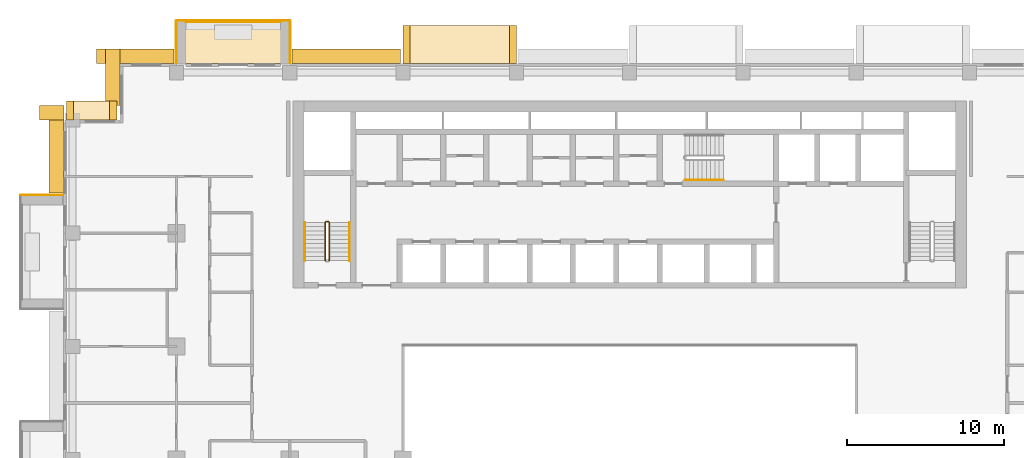
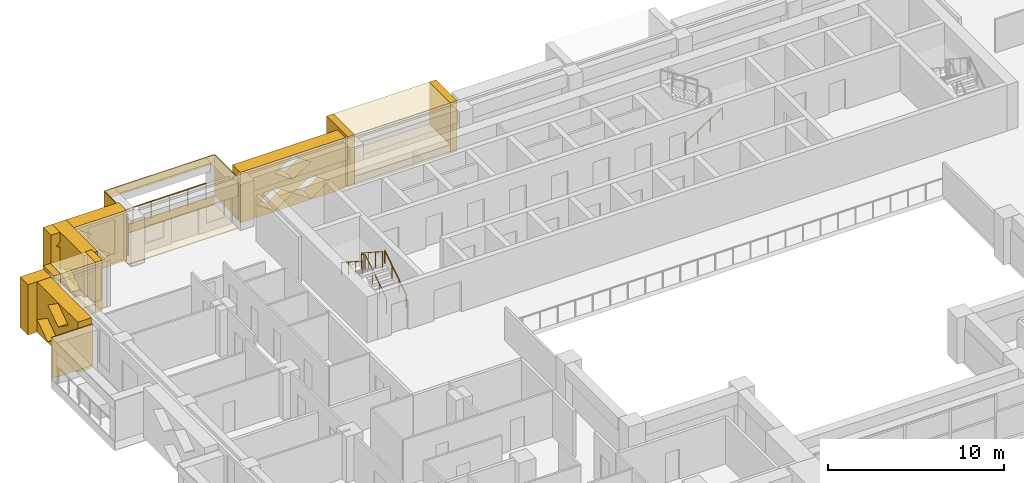
# One storey, part 18 of 20: 19 coverings, 5 railings.
"""IFC4 building model written with IfcOpenShell, lengths in metres."""

from ifc_helpers import new_model, si_unit, direction, frame, origin, origin_2d, place, context, subcontext, project, spatial, polyline, circle, outline, extrude, material, layer, layer_set, type_object, element, save


model = new_model("IFC4")

# Units and contexts
model_context = context("Model", 3, precision=1e-05, world=origin(), true_north=direction((0.0, 1.0)))
body_context = subcontext(model_context, "Body", "Model", "MODEL_VIEW")
ifc_project = project(units=[si_unit("LENGTHUNIT", "METRE"), si_unit("AREAUNIT", "SQUARE_METRE"), si_unit("VOLUMEUNIT", "CUBIC_METRE"), si_unit("PLANEANGLEUNIT", "RADIAN"), si_unit("MASSUNIT", "GRAM", prefix="KILO")], contexts=[model_context])

# Site, building, storey
site_placement = place(None, origin())
site = spatial("IfcSite", under=ifc_project, at=site_placement, CompositionType="ELEMENT")
building_placement = place(site_placement, origin())
building = spatial("IfcBuilding", under=site, at=building_placement, Name="Saffron Iwan Residences", CompositionType="ELEMENT")
storey_placement = place(building_placement, frame((0.0, 0.0, 127.0)))
storey = spatial("IfcBuildingStorey", under=building, at=storey_placement, Name="L33", CompositionType="ELEMENT", Elevation=127.0)

# Railing
ifc_material_1 = material(Name="Stainless steel 316", Category="steel")
railing_type_1 = type_object("IfcRailingType", Name="BALCONY GUARD 1150", PredefinedType="GUARDRAIL", material=ifc_material_1)
railing_1_placement = place(storey_placement, frame((28.199951171875, 83.02490234375, 0.0)))
element("IfcRailing", 1, at=railing_1_placement, inside=storey, type_object=railing_type_1, Name="Balcony guard L33 F5-3", PredefinedType="GUARDRAIL", context=body_context, shape_type="SweptSolid", body=[
    extrude(circle(Radius=0.02392578125, at=origin_2d()), frame((0.0, 0.0, 1.1259765625), z_axis=(-1.0, 0.0, 0.0), x_axis=(0.0, -1.0, 0.0)), (0.0, 0.0, 1.0), 6.0),
    extrude(circle(Radius=0.02099609375, at=origin_2d()), origin(), (0.0, 0.0, 1.0), 1.101806640625),
    extrude(circle(Radius=0.02099609375, at=origin_2d()), frame((-1.199951171875, 0.0, 0.0)), (0.0, 0.0, 1.0), 1.101806640625),
    extrude(circle(Radius=0.02099609375, at=origin_2d()), frame((-2.39990234375, 0.0, 0.0)), (0.0, 0.0, 1.0), 1.101806640625),
    extrude(circle(Radius=0.02099609375, at=origin_2d()), frame((-3.60009765625, 0.0, 0.0)), (0.0, 0.0, 1.0), 1.101806640625),
    extrude(circle(Radius=0.02099609375, at=origin_2d()), frame((-4.800048828125, 0.0, 0.0)), (0.0, 0.0, 1.0), 1.101806640625),
    extrude(circle(Radius=0.02099609375, at=origin_2d()), frame((-6.0, 0.0, 0.0)), (0.0, 0.0, 1.0), 1.101806640625),
])

# Coverings
ifc_material_2 = material(Name="Precast concrete C40/50 white painted", Category="concrete")
ifc_layer = layer(ifc_material_2, 0.050048828125)
ifc_layer_set = layer_set([ifc_layer], Name="Precast concrete C40/50 white painted")
covering_type_1 = type_object("IfcCoveringType", Name="FRAME SKIN PRECAST WHITE 50", PredefinedType="CLADDING", material=ifc_layer_set)
for number, where, name in (
    (2, (0.0, 0.0, -0.60009765625), "Frame skin slab edge L33 F5-3"),
    (3, (0.0, 0.0, 2.25), "Frame skin fascia L33 F5-3"),
):
    element("IfcCovering", number, at=place(storey_placement, frame(where)), inside=storey, type_object=covering_type_1, Name=name, PredefinedType="CLADDING", context=body_context, shape_type="SweptSolid", body=[
        extrude(outline(polyline([(28.800048828125, 83.14990234375), (21.60009765625, 83.14990234375), (21.60009765625, 83.10009765625), (28.800048828125, 83.10009765625), (28.800048828125, 83.14990234375)])), origin(), (0.0, 0.0, 1.0), 0.60009765625),
    ])
covering_1_placement = place(storey_placement, frame((0.0, 0.0, -0.64990234375)))
element("IfcCovering", 4, at=covering_1_placement, inside=storey, type_object=covering_type_1, Name="Frame skin soffit L33 F5-3", PredefinedType="CLADDING", context=body_context, shape_type="SweptSolid", body=[
    extrude(outline(polyline([(28.800048828125, 83.10009765625), (21.60009765625, 83.10009765625), (21.60009765625, 80.39990234375), (28.800048828125, 80.39990234375), (28.800048828125, 83.10009765625)])), origin(), (0.0, 0.0, 1.0), 0.0498046875),
])
covering_2_placement = place(storey_placement, origin())
element("IfcCovering", 5, at=covering_2_placement, inside=storey, type_object=covering_type_1, Name="Frame skin fin L33 F5-3a", PredefinedType="CLADDING", context=body_context, shape_type="SweptSolid", body=[
    extrude(outline(polyline([(28.85009765625, 83.10009765625), (28.800048828125, 83.10009765625), (28.800048828125, 80.39990234375), (28.85009765625, 80.39990234375), (28.85009765625, 83.10009765625)])), origin(), (0.0, 0.0, 1.0), 2.85009765625),
])
covering_3_placement = place(storey_placement, origin())
element("IfcCovering", 6, at=covering_3_placement, inside=storey, type_object=covering_type_1, Name="Frame skin fin L33 F5-3b", PredefinedType="CLADDING", context=body_context, shape_type="SweptSolid", body=[
    extrude(outline(polyline([(21.60009765625, 83.10009765625), (21.550048828125, 83.10009765625), (21.550048828125, 80.39990234375), (21.60009765625, 80.39990234375), (21.60009765625, 83.10009765625)])), origin(), (0.0, 0.0, 1.0), 2.85009765625),
])
covering_4_placement = place(storey_placement, origin())
element("IfcCovering", 7, at=covering_4_placement, inside=storey, type_object=covering_type_1, Name="Frame skin fin L33 F8-0a", PredefinedType="CLADDING", context=body_context, shape_type="SweptSolid", body=[
    extrude(outline(polyline([(11.699951171875, 72.050048828125), (11.699951171875, 72.0), (14.39990234375, 72.0), (14.39990234375, 72.050048828125), (11.699951171875, 72.050048828125)])), origin(), (0.0, 0.0, 1.0), 2.85009765625),
])
ifc_material_3 = material(Name="Precast concrete C40/50", Category="concrete")
covering_type_2 = type_object("IfcCoveringType", Name="OUTER SKIN LATTICE SCREEN", PredefinedType="CLADDING", material=ifc_material_3)
covering_5_placement = place(storey_placement, frame((35.85009765625, 80.39990234375, -0.300048828125), z_axis=(0.0, 1.0, 0.0), x_axis=(-1.0, 0.0, 0.0)))
element("IfcCovering", 8, at=covering_5_placement, inside=storey, type_object=covering_type_2, Name="OUTER SKIN lattice screen L33 F5.3", PredefinedType="CLADDING", context=body_context, shape_type="SweptSolid", body=[
    extrude(outline(polyline([(0.0, 0.0), (6.89990234375, 0.0), (6.89990234375, 3.5), (0.0, 3.5), (0.0, 0.0)]), holes=[polyline([(1.070068359375, 0.875), (2.25, 0.06005859375), (3.429931640625, 0.875), (2.25, 1.68994140625), (1.070068359375, 0.875)]), polyline([(3.469970703125, 0.875), (4.64990234375, 0.06005859375), (5.830078125, 0.875), (4.64990234375, 1.68994140625), (3.469970703125, 0.875)]), polyline([(2.27001953125, 2.625), (3.449951171875, 1.81005859375), (4.6298828125, 2.625), (3.449951171875, 3.43994140625), (2.27001953125, 2.625)])]), origin(), (0.0, 0.0, 1.0), 0.900146484375),
])
covering_6_placement = place(storey_placement, frame((21.449951171875, 80.39990234375, -0.300048828125), z_axis=(0.0, 1.0, 0.0), x_axis=(-1.0, 0.0, 0.0)))
element("IfcCovering", 9, at=covering_6_placement, inside=storey, type_object=covering_type_2, Name="OUTER SKIN lattice screen L33 F5.4", PredefinedType="CLADDING", context=body_context, shape_type="SweptSolid", body=[
    extrude(outline(polyline([(0.0, 0.0), (4.949951171875, 0.0), (4.949951171875, 3.5), (0.0, 3.5), (0.0, 0.0)]), holes=[polyline([(1.070068359375, 0.875), (2.25, 0.06005859375), (3.429931640625, 0.875), (2.25, 1.68994140625), (1.070068359375, 0.875)]), polyline([(2.27001953125, 2.625), (3.449951171875, 1.81005859375), (4.6298828125, 2.625), (3.449951171875, 3.43994140625), (2.27001953125, 2.625)])]), origin(), (0.0, 0.0, 1.0), 0.900146484375),
])
covering_7_placement = place(storey_placement, frame((18.0, 81.300048828125, -0.300048828125), z_axis=(-1.0, 0.0, 0.0), x_axis=(0.0, -1.0, 0.0)))
element("IfcCovering", 10, at=covering_7_placement, inside=storey, type_object=covering_type_2, Name="OUTER SKIN lattice screen L33 F6.0", PredefinedType="CLADDING", context=body_context, shape_type="SweptSolid", body=[
    extrude(outline(polyline([(0.0, 0.0), (3.60009765625, 0.0), (3.60009765625, 3.5), (0.0, 3.5), (0.0, 0.0)]), holes=[polyline([(0.919921875, 0.875), (2.10009765625, 0.06005859375), (3.280029296875, 0.875), (2.10009765625, 1.68994140625), (0.919921875, 0.875)])]), origin(), (0.0, 0.0, 1.0), 0.89990234375),
])
covering_8_placement = place(storey_placement, frame((14.449951171875, 76.800048828125, -0.300048828125), z_axis=(0.0, 1.0, 0.0), x_axis=(-1.0, 0.0, 0.0)))
element("IfcCovering", 11, at=covering_8_placement, inside=storey, type_object=covering_type_2, Name="OUTER SKIN lattice screen L33 F7.0", PredefinedType="CLADDING", context=body_context, shape_type="SweptSolid", body=[
    extrude(outline(polyline([(0.0, 0.0), (1.550048828125, 0.0), (1.550048828125, 3.5), (0.0, 3.5), (0.0, 0.0)])), origin(), (0.0, 0.0, 1.0), 0.89990234375),
])
covering_9_placement = place(storey_placement, frame((14.39990234375, 77.699951171875, -0.300048828125), z_axis=(-1.0, 0.0, 0.0), x_axis=(0.0, -1.0, 0.0)))
element("IfcCovering", 12, at=covering_9_placement, inside=storey, type_object=covering_type_2, Name="OUTER SKIN lattice screen L33 F8.0", PredefinedType="CLADDING", context=body_context, shape_type="SweptSolid", body=[
    extrude(outline(polyline([(0.0, 0.0), (5.550048828125, 0.0), (5.550048828125, 3.5), (0.0, 3.5), (0.0, 0.0)]), holes=[polyline([(0.919921875, 0.875), (2.10009765625, 0.06005859375), (3.280029296875, 0.875), (2.10009765625, 1.68994140625), (0.919921875, 0.875)]), polyline([(2.1201171875, 2.625), (3.300048828125, 1.81005859375), (4.47998046875, 2.625), (3.300048828125, 3.43994140625), (2.1201171875, 2.625)])]), origin(), (0.0, 0.0, 1.0), 0.89990234375),
])

# Railings
ifc_material_4 = material(Name="Steel S355", Category="steel")
railing_type_2 = type_object("IfcRailingType", Name="Stair guard 1100", PredefinedType="GUARDRAIL", material=ifc_material_4)
railing_2_placement = place(storey_placement, frame((31.300048828125, 67.85009765625, 0.175048828125)))
element("IfcRailing", 13, at=railing_2_placement, inside=storey, type_object=railing_type_2, Name="L33 ST-W stair guard 1", PredefinedType="GUARDRAIL", context=body_context, shape_type="SweptSolid", body=[
    extrude(circle(Radius=0.02392578125, at=origin_2d()), frame((0.0, 0.0, 1.076171875), z_axis=(0.0, 0.839153699163, 0.543894354798), x_axis=(-1.0, 0.0, 0.0)), (0.0, 0.0, 1.0), 2.895751953125),
    extrude(circle(Radius=0.02392578125, at=origin_2d()), frame((0.0, 2.429931640625, 2.65087890625), z_axis=(-0.707106781187, 0.707106781187, 0.0), x_axis=(-0.707106781187, -0.707106781187, 0.0)), (0.0, 0.0, 1.0), 0.07080078125),
    extrude(circle(Radius=0.02392578125, at=origin_2d()), frame((-0.050048828125, 2.47998046875, 2.65087890625), z_axis=(-1.0, 0.0, 0.0), x_axis=(0.0, -1.0, 0.0)), (0.0, 0.0, 1.0), 0.14990234375),
    extrude(circle(Radius=0.02392578125, at=origin_2d()), frame((-0.199951171875, 2.47998046875, 2.65087890625), z_axis=(-0.265065253269, -0.265065253269, 0.927081885822), x_axis=(0.707106781187, -0.707106781187, 0.0)), (0.0, 0.0, 1.0), 0.188720703125),
    extrude(circle(Radius=0.02392578125, at=origin_2d()), frame((-0.25, 2.429931640625, 2.826171875), z_axis=(0.0, -0.839153699163, 0.543894354798), x_axis=(1.0, 0.0, 0.0)), (0.0, 0.0, 1.0), 2.895751953125),
    extrude(circle(Radius=0.02099609375, at=origin_2d()), origin(), (0.0, 0.0, 1.0), 1.052001953125),
    extrude(circle(Radius=0.02099609375, at=origin_2d()), frame((0.0, 0.81005859375, 0.52490234375)), (0.0, 0.0, 1.0), 1.052001953125),
    extrude(circle(Radius=0.02099609375, at=origin_2d()), frame((0.0, 1.619873046875, 1.050048828125)), (0.0, 0.0, 1.0), 1.052001953125),
    extrude(circle(Radius=0.02099609375, at=origin_2d()), frame((0.0, 2.429931640625, 1.574951171875)), (0.0, 0.0, 1.0), 1.052001953125),
    extrude(circle(Radius=0.02099609375, at=origin_2d()), frame((-0.050048828125, 2.47998046875, 1.574951171875)), (0.0, 0.0, 1.0), 1.052001953125),
    extrude(circle(Radius=0.02099609375, at=origin_2d()), frame((-0.199951171875, 2.47998046875, 1.574951171875)), (0.0, 0.0, 1.0), 1.052001953125),
    extrude(circle(Radius=0.02099609375, at=origin_2d()), frame((-0.25, 2.429931640625, 1.75)), (0.0, 0.0, 1.0), 1.052001953125),
    extrude(circle(Radius=0.02099609375, at=origin_2d()), frame((-0.25, 1.619873046875, 2.27490234375)), (0.0, 0.0, 1.0), 1.052001953125),
    extrude(circle(Radius=0.02099609375, at=origin_2d()), frame((-0.25, 0.81005859375, 2.800048828125)), (0.0, 0.0, 1.0), 1.052001953125),
    extrude(circle(Radius=0.02099609375, at=origin_2d()), frame((-0.25, 0.0, 3.324951171875)), (0.0, 0.0, 1.0), 1.052001953125),
])
railing_type_3 = type_object("IfcRailingType", Name="Stair handrail 900", PredefinedType="HANDRAIL", material=ifc_material_1)
railing_3_placement = place(storey_placement, frame((32.60009765625, 67.85009765625, 0.175048828125)))
element("IfcRailing", 14, at=railing_3_placement, inside=storey, type_object=railing_type_3, Name="L33 ST-W stair handrail 1", PredefinedType="HANDRAIL", context=body_context, shape_type="SweptSolid", body=[
    extrude(circle(Radius=0.02392578125, at=origin_2d()), frame((0.0, 0.0, 0.8759765625), z_axis=(0.0, 0.839153699163, 0.543894354798), x_axis=(-1.0, 0.0, 0.0)), (0.0, 0.0, 1.0), 2.895751953125),
    extrude(circle(Radius=0.02099609375, at=origin_2d()), origin(), (0.0, 0.0, 1.0), 0.851806640625),
    extrude(circle(Radius=0.02099609375, at=origin_2d()), frame((0.0, 0.81005859375, 0.52490234375)), (0.0, 0.0, 1.0), 0.851806640625),
    extrude(circle(Radius=0.02099609375, at=origin_2d()), frame((0.0, 1.619873046875, 1.050048828125)), (0.0, 0.0, 1.0), 0.851806640625),
    extrude(circle(Radius=0.02099609375, at=origin_2d()), frame((0.0, 2.429931640625, 1.574951171875)), (0.0, 0.0, 1.0), 0.851806640625),
])
railing_4_placement = place(storey_placement, frame((29.75, 70.280029296875, 1.925048828125)))
element("IfcRailing", 15, at=railing_4_placement, inside=storey, type_object=railing_type_3, Name="L33 ST-W stair handrail 2", PredefinedType="HANDRAIL", context=body_context, shape_type="SweptSolid", body=[
    extrude(circle(Radius=0.02392578125, at=origin_2d()), frame((0.0, 0.0, 0.8759765625), z_axis=(0.0, -0.839153699163, 0.543894354798), x_axis=(1.0, 0.0, 0.0)), (0.0, 0.0, 1.0), 2.895751953125),
    extrude(circle(Radius=0.02099609375, at=origin_2d()), origin(), (0.0, 0.0, 1.0), 0.851806640625),
    extrude(circle(Radius=0.02099609375, at=origin_2d()), frame((0.0, -0.81005859375, 0.52490234375)), (0.0, 0.0, 1.0), 0.851806640625),
    extrude(circle(Radius=0.02099609375, at=origin_2d()), frame((0.0, -1.619873046875, 1.050048828125)), (0.0, 0.0, 1.0), 0.851806640625),
    extrude(circle(Radius=0.02099609375, at=origin_2d()), frame((0.0, -2.429931640625, 1.574951171875)), (0.0, 0.0, 1.0), 0.851806640625),
])
railing_5_placement = place(storey_placement, frame((53.925048828125, 72.97509765625, 0.175048828125)))
element("IfcRailing", 16, at=railing_5_placement, inside=storey, type_object=railing_type_3, Name="L33 ST-C stair handrail 1", PredefinedType="HANDRAIL", context=body_context, shape_type="SweptSolid", body=[
    extrude(circle(Radius=0.02392578125, at=origin_2d()), frame((0.0, 0.0, 0.8759765625), z_axis=(0.839153699163, 0.0, 0.543894354798), x_axis=(0.0, 1.0, 0.0)), (0.0, 0.0, 1.0), 2.895751953125),
    extrude(circle(Radius=0.02099609375, at=origin_2d()), origin(), (0.0, 0.0, 1.0), 0.851806640625),
    extrude(circle(Radius=0.02099609375, at=origin_2d()), frame((0.81005859375, 0.0, 0.52490234375)), (0.0, 0.0, 1.0), 0.851806640625),
    extrude(circle(Radius=0.02099609375, at=origin_2d()), frame((1.619873046875, 0.0, 1.050048828125)), (0.0, 0.0, 1.0), 0.851806640625),
    extrude(circle(Radius=0.02099609375, at=origin_2d()), frame((2.429931640625, 0.0, 1.574951171875)), (0.0, 0.0, 1.0), 0.851806640625),
])

# Coverings
covering_type_3 = type_object("IfcCoveringType", Name="WHITE SUN FRAME PRECAST", PredefinedType="CLADDING", material=ifc_material_2)
for number, where, z_axis, x_axis, name in (
    (17, (43.199951171875, 80.39990234375, -0.300048828125), (0.0, 1.0, 0.0), (-1.0, 0.0, 0.0), "Sun frame L33 F5 39.6a"),
    (18, (36.449951171875, 80.39990234375, -0.300048828125), (0.0, 1.0, 0.0), (-1.0, 0.0, 0.0), "Sun frame L33 F5 39.6b"),
):
    element("IfcCovering", number, at=place(storey_placement, frame(where, z_axis=z_axis, x_axis=x_axis)), inside=storey, type_object=covering_type_3, Name=name, PredefinedType="CLADDING", context=body_context, shape_type="SweptSolid", body=[
        extrude(outline(polyline([(0.0, 0.0), (0.449951171875, 0.0), (0.449951171875, 3.5), (0.0, 3.5), (0.0, 0.0)])), origin(), (0.0, 0.0, 1.0), 2.400146484375),
    ])
for number, where, z_axis, x_axis, name in (
    (19, (42.75, 80.39990234375, 2.60009765625), (0.0, 1.0, 0.0), (-1.0, 0.0, 0.0), "Sun frame L33 F5 39.6h"),
    (20, (42.75, 80.39990234375, -0.300048828125), (0.0, 1.0, 0.0), (-1.0, 0.0, 0.0), "Sun frame L33 F5 39.6s"),
):
    element("IfcCovering", number, at=place(storey_placement, frame(where, z_axis=z_axis, x_axis=x_axis)), inside=storey, type_object=covering_type_3, Name=name, PredefinedType="CLADDING", context=body_context, shape_type="SweptSolid", body=[
        extrude(outline(polyline([(0.0, 0.0), (6.300048828125, 0.0), (6.300048828125, 0.60009765625), (0.0, 0.60009765625), (0.0, 0.0)])), origin(), (0.0, 0.0, 1.0), 2.400146484375),
    ])
for number, where, z_axis, x_axis, name in (
    (21, (17.800048828125, 76.800048828125, -0.300048828125), (0.0, 1.0, 0.0), (-1.0, 0.0, 0.0), "Sun frame L33 F7 0.2a"),
    (22, (15.050048828125, 76.800048828125, -0.300048828125), (0.0, 1.0, 0.0), (-1.0, 0.0, 0.0), "Sun frame L33 F7 0.2b"),
):
    element("IfcCovering", number, at=place(storey_placement, frame(where, z_axis=z_axis, x_axis=x_axis)), inside=storey, type_object=covering_type_3, Name=name, PredefinedType="CLADDING", context=body_context, shape_type="SweptSolid", body=[
        extrude(outline(polyline([(0.0, 0.0), (0.449951171875, 0.0), (0.449951171875, 3.5), (0.0, 3.5), (0.0, 0.0)])), origin(), (0.0, 0.0, 1.0), 1.199951171875),
    ])
for number, where, z_axis, x_axis, name in (
    (23, (17.35009765625, 76.800048828125, 2.60009765625), (0.0, 1.0, 0.0), (-1.0, 0.0, 0.0), "Sun frame L33 F7 0.2h"),
    (24, (17.35009765625, 76.800048828125, -0.300048828125), (0.0, 1.0, 0.0), (-1.0, 0.0, 0.0), "Sun frame L33 F7 0.2s"),
):
    element("IfcCovering", number, at=place(storey_placement, frame(where, z_axis=z_axis, x_axis=x_axis)), inside=storey, type_object=covering_type_3, Name=name, PredefinedType="CLADDING", context=body_context, shape_type="SweptSolid", body=[
        extrude(outline(polyline([(0.0, 0.0), (2.300048828125, 0.0), (2.300048828125, 0.60009765625), (0.0, 0.60009765625), (0.0, 0.0)])), origin(), (0.0, 0.0, 1.0), 1.199951171875),
    ])

save(model, "model.ifc")
